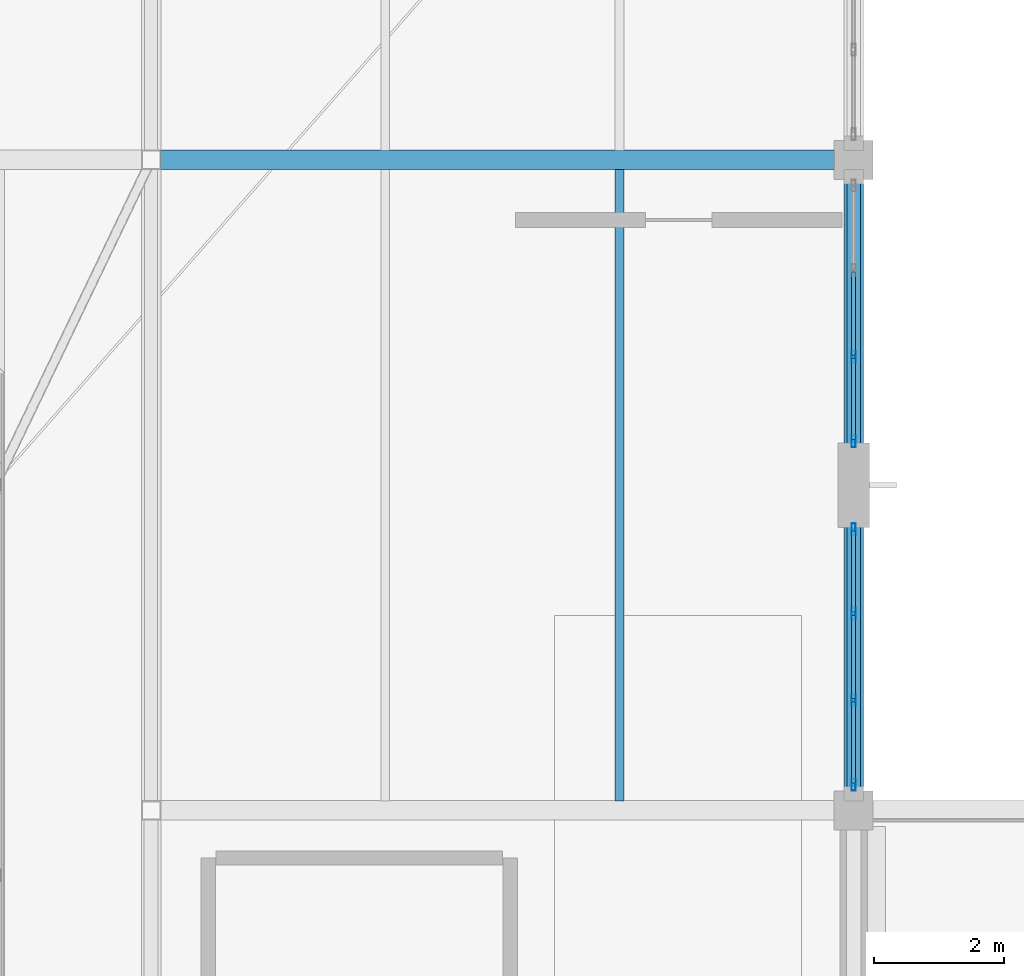
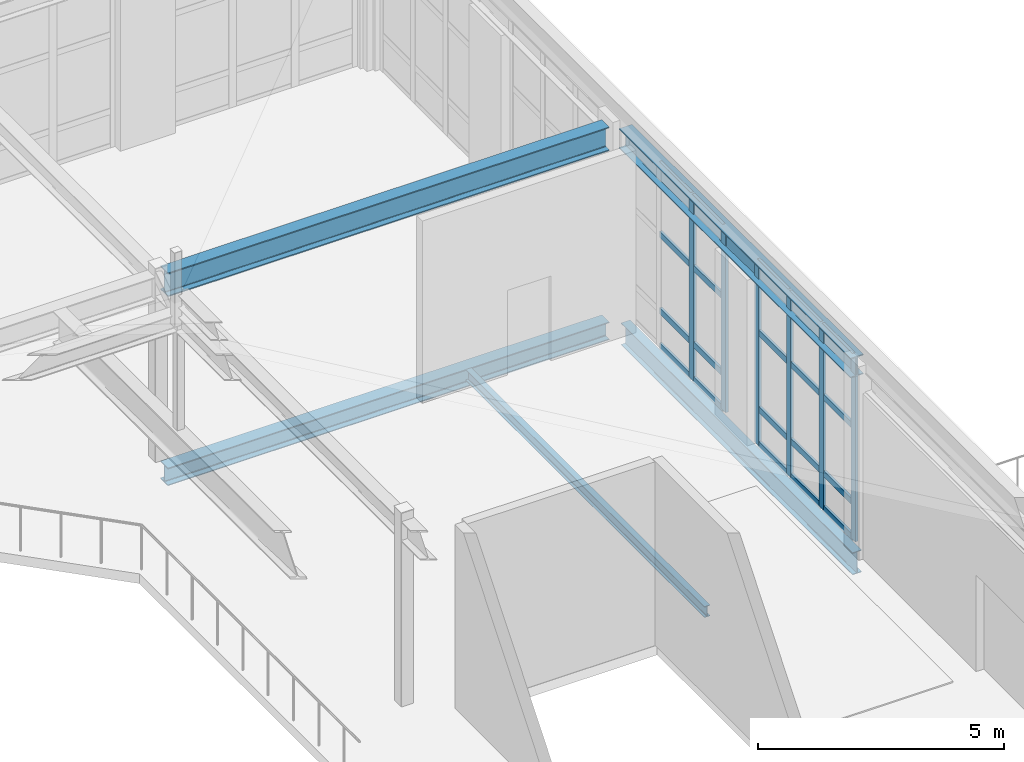
# One storey, part 41 of 86: 26 members, 5 beams, 2 elements without a shape of their own.
"""IFC4 building model written with IfcOpenShell, lengths in metres."""

from ifc_helpers import new_model, si_unit, direction, frame, origin, origin_2d, place, context, subcontext, project, spatial, hollow_rectangle, i_section, extrude, material, layer, layer_set, material_profile, profile_set, type_object, element, aggregate, save


model = new_model("IFC4")

# Units and contexts
model_context = context("Model", 3, precision=1e-05, world=origin(), true_north=direction((0.0, 1.0)))
body_context = subcontext(model_context, "Body", "Model", "MODEL_VIEW")
ifc_project = project(units=[si_unit("LENGTHUNIT", "METRE"), si_unit("AREAUNIT", "SQUARE_METRE"), si_unit("VOLUMEUNIT", "CUBIC_METRE"), si_unit("PLANEANGLEUNIT", "RADIAN"), si_unit("MASSUNIT", "GRAM", prefix="KILO")], contexts=[model_context])

# Site, building, storey
site_placement = place(None, origin())
site = spatial("IfcSite", under=ifc_project, at=site_placement, CompositionType="ELEMENT")
building_placement = place(site_placement, origin())
building = spatial("IfcBuilding", under=site, at=building_placement, Name="Tasgan Crest Museum", CompositionType="ELEMENT")
storey_placement = place(building_placement, frame((0.0, 0.0, 24.0)))
storey = spatial("IfcBuildingStorey", under=building, at=storey_placement, Name="L04", CompositionType="ELEMENT", Elevation=24.0)

# Beams
ifc_material_1 = material(Name="Steel S355J2", Category="steel")
ifc_material_profile_1 = material_profile(ifc_material_1, i_section(OverallWidth=0.300048828125, OverallDepth=0.43994140625, WebThickness=0.011474609375, FlangeThickness=0.02099609375, FilletRadius=0.027099609375, at=origin_2d()), Name="HEA 450")
ifc_profile_set_1 = profile_set([ifc_material_profile_1], Name="Steel S355J2")
beam_type_1 = type_object("IfcBeamType", Name="BM-G-HEA450", PredefinedType="BEAM", material=ifc_profile_set_1)
beam_1_placement = place(storey_placement, frame((97.345947265625, 72.0, -0.4599609375), z_axis=(1.0, 0.0, 0.0), x_axis=(0.0, 1.0, 0.0)))
element("IfcBeam", 1, at=beam_1_placement, inside=storey, type_object=beam_type_1, Name="Girder L04 H 97.2-108.0", PredefinedType="BEAM", context=body_context, shape_type="SweptSolid", body=[
    extrude(i_section(OverallWidth=0.300048828125, OverallDepth=0.43994140625, WebThickness=0.011474609375, FlangeThickness=0.02099609375, FilletRadius=0.027099609375, at=origin_2d()), origin(), (0.0, 0.0, 1.0), 10.358154296875),
])
ifc_material_2 = material(Name="Steel S355J2", Category="steel")
ifc_material_profile_2 = material_profile(ifc_material_2, i_section(OverallWidth=0.300048828125, OverallDepth=0.489990234375, WebThickness=0.011962890625, FlangeThickness=0.02294921875, FilletRadius=0.027099609375, at=origin_2d()), Name="HEA 500")
ifc_profile_set_2 = profile_set([ifc_material_profile_2], Name="Steel S355J2")
beam_type_2 = type_object("IfcBeamType", Name="BM-G-HEA500", PredefinedType="BEAM", material=ifc_profile_set_2)
beam_2_placement = place(storey_placement, frame((108.0, 62.2958984375, 4.35498046875), z_axis=(0.0, 1.0, 0.0), x_axis=(-1.0, 0.0, 0.0)))
element("IfcBeam", 2, at=beam_2_placement, inside=storey, type_object=beam_type_2, Name="Winter-garden roof beam 11 62-72", PredefinedType="BEAM", context=body_context, shape_type="SweptSolid", body=[
    extrude(i_section(OverallWidth=0.300048828125, OverallDepth=0.489990234375, WebThickness=0.011962890625, FlangeThickness=0.02294921875, FilletRadius=0.027099609375, at=origin_2d()), origin(), (0.0, 0.0, 1.0), 9.408203125),
])
ifc_material_3 = material(Name="Steel S355J2", Category="steel")
ifc_material_profile_3 = material_profile(ifc_material_3, i_section(OverallWidth=0.300048828125, OverallDepth=0.590087890625, WebThickness=0.012939453125, FlangeThickness=0.02490234375, FilletRadius=0.027099609375, at=origin_2d()), Name="HEA 600")
ifc_profile_set_3 = profile_set([ifc_material_profile_3], Name="Steel S355J2")
beam_type_3 = type_object("IfcBeamType", Name="BM-G-HEA600", PredefinedType="BEAM", material=ifc_profile_set_3)
beam_3_placement = place(storey_placement, frame((97.345947265625, 72.0, 4.304931640625), z_axis=(1.0, 0.0, 0.0), x_axis=(0.0, 1.0, 0.0)))
element("IfcBeam", 3, at=beam_3_placement, inside=storey, type_object=beam_type_3, Name="Winter-garden roof girder H 97.2-108.0", PredefinedType="BEAM", context=body_context, shape_type="SweptSolid", body=[
    extrude(i_section(OverallWidth=0.300048828125, OverallDepth=0.590087890625, WebThickness=0.012939453125, FlangeThickness=0.02490234375, FilletRadius=0.027099609375, at=origin_2d()), origin(), (0.0, 0.0, 1.0), 10.358154296875),
])
ifc_material_4 = material(Name="Steel S355J2", Category="steel")
ifc_material_profile_4 = material_profile(ifc_material_4, i_section(OverallWidth=0.2099609375, OverallDepth=0.550048828125, WebThickness=0.010986328125, FlangeThickness=0.01708984375, FilletRadius=0.02392578125, at=origin_2d()), Name="IPE 550")
ifc_profile_set_4 = profile_set([ifc_material_profile_4], Name="Steel S355J2")
beam_type_4 = type_object("IfcBeamType", Name="BM-G-IPE550", PredefinedType="BEAM", material=ifc_profile_set_4)
beam_4_placement = place(storey_placement, frame((108.0, 62.294921875, -0.514892578125), z_axis=(0.0, 1.0, 0.0), x_axis=(-1.0, 0.0, 0.0)))
element("IfcBeam", 4, at=beam_4_placement, inside=storey, type_object=beam_type_4, Name="Beam L04 11 62.0-72.0", PredefinedType="BEAM", context=body_context, shape_type="SweptSolid", body=[
    extrude(i_section(OverallWidth=0.2099609375, OverallDepth=0.550048828125, WebThickness=0.010986328125, FlangeThickness=0.01708984375, FilletRadius=0.02392578125, at=origin_2d()), origin(), (0.0, 0.0, 1.0), 9.41015625),
])
ifc_material_5 = material(Name="Steel S355J2", Category="steel")
ifc_material_profile_5 = material_profile(ifc_material_5, i_section(OverallWidth=0.135009765625, OverallDepth=0.27001953125, WebThickness=0.006591796875, FlangeThickness=0.01025390625, FilletRadius=0.014892578125, at=origin_2d()), Name="IPE 270")
ifc_profile_set_5 = profile_set([ifc_material_profile_5], Name="Steel S355J2")
beam_type_5 = type_object("IfcBeamType", Name="BM-J-IPE270", PredefinedType="JOIST", material=ifc_profile_set_5)
beam_5_placement = place(storey_placement, frame((104.39990234375, 62.14501953125, -0.375), z_axis=(0.0, 1.0, 0.0), x_axis=(-1.0, 0.0, 0.0)))
element("IfcBeam", 5, at=beam_5_placement, inside=storey, type_object=beam_type_5, Name="Secondary joist L04 X=104.4 Y=62.0-72.0", PredefinedType="JOIST", context=body_context, shape_type="SweptSolid", body=[
    extrude(i_section(OverallWidth=0.135009765625, OverallDepth=0.27001953125, WebThickness=0.006591796875, FlangeThickness=0.01025390625, FilletRadius=0.014892578125, at=origin_2d()), origin(), (0.0, 0.0, 1.0), 9.7099609375),
])

# Curtain wall, members
ifc_material_6 = material(Name="Triple-Glazed Aluminium Curtain Wall", Category="aluminium")
ifc_layer = layer(ifc_material_6, 0.179931640625, Name="CW-DRUM-Y10-48")
ifc_layer_set = layer_set([ifc_layer], Name="Triple-Glazed Aluminium Curtain Wall")
curtain_wall_type = type_object("IfcCurtainWallType", Name="CW-DRUM-Y10-48", PredefinedType="NOTDEFINED", material=ifc_layer_set)
curtain_wall_1_placement = place(storey_placement, origin())
curtain_wall_1 = element("IfcCurtainWall", 6, at=curtain_wall_1_placement, inside=storey, type_object=curtain_wall_type, Name="Curtain wall L04 197", PredefinedType="NOTDEFINED")
ifc_material_7 = material(Name="Anodised Aluminium", Category="aluminium")
ifc_material_profile_6 = material_profile(ifc_material_7, hollow_rectangle(XDim=0.06494140625, YDim=0.179931640625, WallThickness=0.0048828125, at=origin_2d()), Name="ALU MULLION 180x65x5")
ifc_profile_set_6 = profile_set([ifc_material_profile_6], Name="Anodised Aluminium")
member_type_1 = type_object("IfcMemberType", Name="CW-MULLION-180", PredefinedType="MULLION", material=ifc_profile_set_6)
member_1_placement = place(storey_placement, frame((108.0, 62.39501953125, 0.0), z_axis=(0.0, 0.0, 1.0), x_axis=(-1.0, 0.0, 0.0)))
member_1 = element("IfcMember", 7, at=member_1_placement, type_object=member_type_1, Name="CW04 mullion 1", PredefinedType="MULLION", context=body_context, shape_type="SweptSolid", body=[
    extrude(hollow_rectangle(XDim=0.06494140625, YDim=0.179931640625, WallThickness=0.0048828125, at=origin_2d()), origin(), (0.0, 0.0, 1.0), 4.56005859375),
])
member_2_placement = place(storey_placement, frame((108.0, 63.695068359375, 0.0), z_axis=(0.0, 0.0, 1.0), x_axis=(-1.0, 0.0, 0.0)))
member_2 = element("IfcMember", 8, at=member_2_placement, type_object=member_type_1, Name="CW04 mullion 2", PredefinedType="MULLION", context=body_context, shape_type="SweptSolid", body=[
    extrude(hollow_rectangle(XDim=0.06494140625, YDim=0.179931640625, WallThickness=0.0048828125, at=origin_2d()), origin(), (0.0, 0.0, 1.0), 4.56005859375),
])
member_3_placement = place(storey_placement, frame((108.0, 65.02490234375, 0.0), z_axis=(0.0, 0.0, 1.0), x_axis=(-1.0, 0.0, 0.0)))
member_3 = element("IfcMember", 9, at=member_3_placement, type_object=member_type_1, Name="CW04 mullion 3", PredefinedType="MULLION", context=body_context, shape_type="SweptSolid", body=[
    extrude(hollow_rectangle(XDim=0.06494140625, YDim=0.179931640625, WallThickness=0.0048828125, at=origin_2d()), origin(), (0.0, 0.0, 1.0), 4.56005859375),
])
member_4_placement = place(storey_placement, frame((108.0, 66.324951171875, 0.0), z_axis=(0.0, 0.0, 1.0), x_axis=(-1.0, 0.0, 0.0)))
member_4 = element("IfcMember", 10, at=member_4_placement, type_object=member_type_1, Name="CW04 mullion 4", PredefinedType="MULLION", context=body_context, shape_type="SweptSolid", body=[
    extrude(hollow_rectangle(XDim=0.06494140625, YDim=0.179931640625, WallThickness=0.0048828125, at=origin_2d()), origin(), (0.0, 0.0, 1.0), 4.56005859375),
])

curtain_wall_2_placement = place(storey_placement, origin())
curtain_wall_2 = element("IfcCurtainWall", 11, at=curtain_wall_2_placement, inside=storey, type_object=curtain_wall_type, Name="Curtain wall L04 198", PredefinedType="NOTDEFINED")
member_5_placement = place(storey_placement, frame((108.0, 67.675048828125, 0.0), z_axis=(0.0, 0.0, 1.0), x_axis=(-1.0, 0.0, 0.0)))
member_5 = element("IfcMember", 12, at=member_5_placement, type_object=member_type_1, Name="CW04 mullion 1", PredefinedType="MULLION", context=body_context, shape_type="SweptSolid", body=[
    extrude(hollow_rectangle(XDim=0.06494140625, YDim=0.179931640625, WallThickness=0.0048828125, at=origin_2d()), origin(), (0.0, 0.0, 1.0), 4.56005859375),
])
member_6_placement = place(storey_placement, frame((108.0, 68.97509765625, 0.0), z_axis=(0.0, 0.0, 1.0), x_axis=(-1.0, 0.0, 0.0)))
member_6 = element("IfcMember", 13, at=member_6_placement, type_object=member_type_1, Name="CW04 mullion 2", PredefinedType="MULLION", context=body_context, shape_type="SweptSolid", body=[
    extrude(hollow_rectangle(XDim=0.06494140625, YDim=0.179931640625, WallThickness=0.0048828125, at=origin_2d()), origin(), (0.0, 0.0, 1.0), 4.56005859375),
])

# Member
ifc_material_8 = material(Name="Anodised Aluminium", Category="aluminium")
ifc_material_profile_7 = material_profile(ifc_material_8, hollow_rectangle(XDim=0.06005859375, YDim=0.14990234375, WallThickness=0.0048828125, at=origin_2d()), Name="ALU TRANSOM 150x60x5")
ifc_profile_set_7 = profile_set([ifc_material_profile_7], Name="Anodised Aluminium")
member_type_2 = type_object("IfcMemberType", Name="CW-TRANSOM-150", PredefinedType="USERDEFINED", material=ifc_profile_set_7)
member_7_placement = place(storey_placement, frame((108.0, 62.425048828125, 0.030029296875), z_axis=(0.0, 1.0, 0.0), x_axis=(-1.0, 0.0, 0.0)))
member_7 = element("IfcMember", 14, at=member_7_placement, type_object=member_type_2, Name="CW04 transom 1.1", ObjectType="TRANSOM", PredefinedType="USERDEFINED", context=body_context, shape_type="SweptSolid", body=[
    extrude(hollow_rectangle(XDim=0.06005859375, YDim=0.14990234375, WallThickness=0.0048828125, at=origin_2d()), origin(), (0.0, 0.0, 1.0), 1.239990234375),
])

member_8_placement = place(storey_placement, frame((108.0, 62.425048828125, 0.89990234375), z_axis=(0.0, 1.0, 0.0), x_axis=(-1.0, 0.0, 0.0)))
member_8 = element("IfcMember", 15, at=member_8_placement, type_object=member_type_2, Name="CW04 transom 1.2", ObjectType="TRANSOM", PredefinedType="USERDEFINED", context=body_context, shape_type="SweptSolid", body=[
    extrude(hollow_rectangle(XDim=0.06005859375, YDim=0.14990234375, WallThickness=0.0048828125, at=origin_2d()), origin(), (0.0, 0.0, 1.0), 1.239990234375),
])

member_9_placement = place(storey_placement, frame((108.0, 62.425048828125, 2.800048828125), z_axis=(0.0, 1.0, 0.0), x_axis=(-1.0, 0.0, 0.0)))
member_9 = element("IfcMember", 16, at=member_9_placement, type_object=member_type_2, Name="CW04 transom 1.3", ObjectType="TRANSOM", PredefinedType="USERDEFINED", context=body_context, shape_type="SweptSolid", body=[
    extrude(hollow_rectangle(XDim=0.06005859375, YDim=0.14990234375, WallThickness=0.0048828125, at=origin_2d()), origin(), (0.0, 0.0, 1.0), 1.239990234375),
])

member_10_placement = place(storey_placement, frame((108.0, 62.425048828125, 4.530029296875), z_axis=(0.0, 1.0, 0.0), x_axis=(-1.0, 0.0, 0.0)))
member_10 = element("IfcMember", 17, at=member_10_placement, type_object=member_type_2, Name="CW04 transom 1.4", ObjectType="TRANSOM", PredefinedType="USERDEFINED", context=body_context, shape_type="SweptSolid", body=[
    extrude(hollow_rectangle(XDim=0.06005859375, YDim=0.14990234375, WallThickness=0.0048828125, at=origin_2d()), origin(), (0.0, 0.0, 1.0), 1.239990234375),
])

member_11_placement = place(storey_placement, frame((108.0, 63.72509765625, 0.030029296875), z_axis=(0.0, 1.0, 0.0), x_axis=(-1.0, 0.0, 0.0)))
member_11 = element("IfcMember", 18, at=member_11_placement, type_object=member_type_2, Name="CW04 transom 2.1", ObjectType="TRANSOM", PredefinedType="USERDEFINED", context=body_context, shape_type="SweptSolid", body=[
    extrude(hollow_rectangle(XDim=0.06005859375, YDim=0.14990234375, WallThickness=0.0048828125, at=origin_2d()), origin(), (0.0, 0.0, 1.0), 1.27001953125),
])

member_12_placement = place(storey_placement, frame((108.0, 63.72509765625, 0.89990234375), z_axis=(0.0, 1.0, 0.0), x_axis=(-1.0, 0.0, 0.0)))
member_12 = element("IfcMember", 19, at=member_12_placement, type_object=member_type_2, Name="CW04 transom 2.2", ObjectType="TRANSOM", PredefinedType="USERDEFINED", context=body_context, shape_type="SweptSolid", body=[
    extrude(hollow_rectangle(XDim=0.06005859375, YDim=0.14990234375, WallThickness=0.0048828125, at=origin_2d()), origin(), (0.0, 0.0, 1.0), 1.27001953125),
])

member_13_placement = place(storey_placement, frame((108.0, 63.72509765625, 2.800048828125), z_axis=(0.0, 1.0, 0.0), x_axis=(-1.0, 0.0, 0.0)))
member_13 = element("IfcMember", 20, at=member_13_placement, type_object=member_type_2, Name="CW04 transom 2.3", ObjectType="TRANSOM", PredefinedType="USERDEFINED", context=body_context, shape_type="SweptSolid", body=[
    extrude(hollow_rectangle(XDim=0.06005859375, YDim=0.14990234375, WallThickness=0.0048828125, at=origin_2d()), origin(), (0.0, 0.0, 1.0), 1.27001953125),
])

member_14_placement = place(storey_placement, frame((108.0, 63.72509765625, 4.530029296875), z_axis=(0.0, 1.0, 0.0), x_axis=(-1.0, 0.0, 0.0)))
member_14 = element("IfcMember", 21, at=member_14_placement, type_object=member_type_2, Name="CW04 transom 2.4", ObjectType="TRANSOM", PredefinedType="USERDEFINED", context=body_context, shape_type="SweptSolid", body=[
    extrude(hollow_rectangle(XDim=0.06005859375, YDim=0.14990234375, WallThickness=0.0048828125, at=origin_2d()), origin(), (0.0, 0.0, 1.0), 1.27001953125),
])

member_15_placement = place(storey_placement, frame((108.0, 65.054931640625, 0.030029296875), z_axis=(0.0, 1.0, 0.0), x_axis=(-1.0, 0.0, 0.0)))
member_15 = element("IfcMember", 22, at=member_15_placement, type_object=member_type_2, Name="CW04 transom 3.1", ObjectType="TRANSOM", PredefinedType="USERDEFINED", context=body_context, shape_type="SweptSolid", body=[
    extrude(hollow_rectangle(XDim=0.06005859375, YDim=0.14990234375, WallThickness=0.0048828125, at=origin_2d()), origin(), (0.0, 0.0, 1.0), 1.239990234375),
])

member_16_placement = place(storey_placement, frame((108.0, 65.054931640625, 0.89990234375), z_axis=(0.0, 1.0, 0.0), x_axis=(-1.0, 0.0, 0.0)))
member_16 = element("IfcMember", 23, at=member_16_placement, type_object=member_type_2, Name="CW04 transom 3.2", ObjectType="TRANSOM", PredefinedType="USERDEFINED", context=body_context, shape_type="SweptSolid", body=[
    extrude(hollow_rectangle(XDim=0.06005859375, YDim=0.14990234375, WallThickness=0.0048828125, at=origin_2d()), origin(), (0.0, 0.0, 1.0), 1.239990234375),
])

member_17_placement = place(storey_placement, frame((108.0, 65.054931640625, 2.800048828125), z_axis=(0.0, 1.0, 0.0), x_axis=(-1.0, 0.0, 0.0)))
member_17 = element("IfcMember", 24, at=member_17_placement, type_object=member_type_2, Name="CW04 transom 3.3", ObjectType="TRANSOM", PredefinedType="USERDEFINED", context=body_context, shape_type="SweptSolid", body=[
    extrude(hollow_rectangle(XDim=0.06005859375, YDim=0.14990234375, WallThickness=0.0048828125, at=origin_2d()), origin(), (0.0, 0.0, 1.0), 1.239990234375),
])

member_18_placement = place(storey_placement, frame((108.0, 65.054931640625, 4.530029296875), z_axis=(0.0, 1.0, 0.0), x_axis=(-1.0, 0.0, 0.0)))
member_18 = element("IfcMember", 25, at=member_18_placement, type_object=member_type_2, Name="CW04 transom 3.4", ObjectType="TRANSOM", PredefinedType="USERDEFINED", context=body_context, shape_type="SweptSolid", body=[
    extrude(hollow_rectangle(XDim=0.06005859375, YDim=0.14990234375, WallThickness=0.0048828125, at=origin_2d()), origin(), (0.0, 0.0, 1.0), 1.239990234375),
])

aggregate(curtain_wall_1, [member_1, member_2, member_3, member_4, member_7, member_8, member_9, member_10, member_11, member_12, member_13, member_14, member_15, member_16, member_17, member_18])

member_19_placement = place(storey_placement, frame((108.0, 67.705078125, 0.030029296875), z_axis=(0.0, 1.0, 0.0), x_axis=(-1.0, 0.0, 0.0)))
member_19 = element("IfcMember", 26, at=member_19_placement, type_object=member_type_2, Name="CW04 transom 1.1", ObjectType="TRANSOM", PredefinedType="USERDEFINED", context=body_context, shape_type="SweptSolid", body=[
    extrude(hollow_rectangle(XDim=0.06005859375, YDim=0.14990234375, WallThickness=0.0048828125, at=origin_2d()), origin(), (0.0, 0.0, 1.0), 1.239990234375),
])

member_20_placement = place(storey_placement, frame((108.0, 67.705078125, 0.89990234375), z_axis=(0.0, 1.0, 0.0), x_axis=(-1.0, 0.0, 0.0)))
member_20 = element("IfcMember", 27, at=member_20_placement, type_object=member_type_2, Name="CW04 transom 1.2", ObjectType="TRANSOM", PredefinedType="USERDEFINED", context=body_context, shape_type="SweptSolid", body=[
    extrude(hollow_rectangle(XDim=0.06005859375, YDim=0.14990234375, WallThickness=0.0048828125, at=origin_2d()), origin(), (0.0, 0.0, 1.0), 1.239990234375),
])

member_21_placement = place(storey_placement, frame((108.0, 67.705078125, 2.800048828125), z_axis=(0.0, 1.0, 0.0), x_axis=(-1.0, 0.0, 0.0)))
member_21 = element("IfcMember", 28, at=member_21_placement, type_object=member_type_2, Name="CW04 transom 1.3", ObjectType="TRANSOM", PredefinedType="USERDEFINED", context=body_context, shape_type="SweptSolid", body=[
    extrude(hollow_rectangle(XDim=0.06005859375, YDim=0.14990234375, WallThickness=0.0048828125, at=origin_2d()), origin(), (0.0, 0.0, 1.0), 1.239990234375),
])

member_22_placement = place(storey_placement, frame((108.0, 67.705078125, 4.530029296875), z_axis=(0.0, 1.0, 0.0), x_axis=(-1.0, 0.0, 0.0)))
member_22 = element("IfcMember", 29, at=member_22_placement, type_object=member_type_2, Name="CW04 transom 1.4", ObjectType="TRANSOM", PredefinedType="USERDEFINED", context=body_context, shape_type="SweptSolid", body=[
    extrude(hollow_rectangle(XDim=0.06005859375, YDim=0.14990234375, WallThickness=0.0048828125, at=origin_2d()), origin(), (0.0, 0.0, 1.0), 1.239990234375),
])

member_23_placement = place(storey_placement, frame((108.0, 69.0048828125, 0.030029296875), z_axis=(0.0, 1.0, 0.0), x_axis=(-1.0, 0.0, 0.0)))
member_23 = element("IfcMember", 30, at=member_23_placement, type_object=member_type_2, Name="CW04 transom 2.1", ObjectType="TRANSOM", PredefinedType="USERDEFINED", context=body_context, shape_type="SweptSolid", body=[
    extrude(hollow_rectangle(XDim=0.06005859375, YDim=0.14990234375, WallThickness=0.0048828125, at=origin_2d()), origin(), (0.0, 0.0, 1.0), 1.27001953125),
])

member_24_placement = place(storey_placement, frame((108.0, 69.0048828125, 0.89990234375), z_axis=(0.0, 1.0, 0.0), x_axis=(-1.0, 0.0, 0.0)))
member_24 = element("IfcMember", 31, at=member_24_placement, type_object=member_type_2, Name="CW04 transom 2.2", ObjectType="TRANSOM", PredefinedType="USERDEFINED", context=body_context, shape_type="SweptSolid", body=[
    extrude(hollow_rectangle(XDim=0.06005859375, YDim=0.14990234375, WallThickness=0.0048828125, at=origin_2d()), origin(), (0.0, 0.0, 1.0), 1.27001953125),
])

member_25_placement = place(storey_placement, frame((108.0, 69.0048828125, 2.800048828125), z_axis=(0.0, 1.0, 0.0), x_axis=(-1.0, 0.0, 0.0)))
member_25 = element("IfcMember", 32, at=member_25_placement, type_object=member_type_2, Name="CW04 transom 2.3", ObjectType="TRANSOM", PredefinedType="USERDEFINED", context=body_context, shape_type="SweptSolid", body=[
    extrude(hollow_rectangle(XDim=0.06005859375, YDim=0.14990234375, WallThickness=0.0048828125, at=origin_2d()), origin(), (0.0, 0.0, 1.0), 1.27001953125),
])

member_26_placement = place(storey_placement, frame((108.0, 69.0048828125, 4.530029296875), z_axis=(0.0, 1.0, 0.0), x_axis=(-1.0, 0.0, 0.0)))
member_26 = element("IfcMember", 33, at=member_26_placement, type_object=member_type_2, Name="CW04 transom 2.4", ObjectType="TRANSOM", PredefinedType="USERDEFINED", context=body_context, shape_type="SweptSolid", body=[
    extrude(hollow_rectangle(XDim=0.06005859375, YDim=0.14990234375, WallThickness=0.0048828125, at=origin_2d()), origin(), (0.0, 0.0, 1.0), 1.27001953125),
])

aggregate(curtain_wall_2, [member_5, member_6, member_19, member_20, member_21, member_22, member_23, member_24, member_25, member_26])

save(model, "model.ifc")
